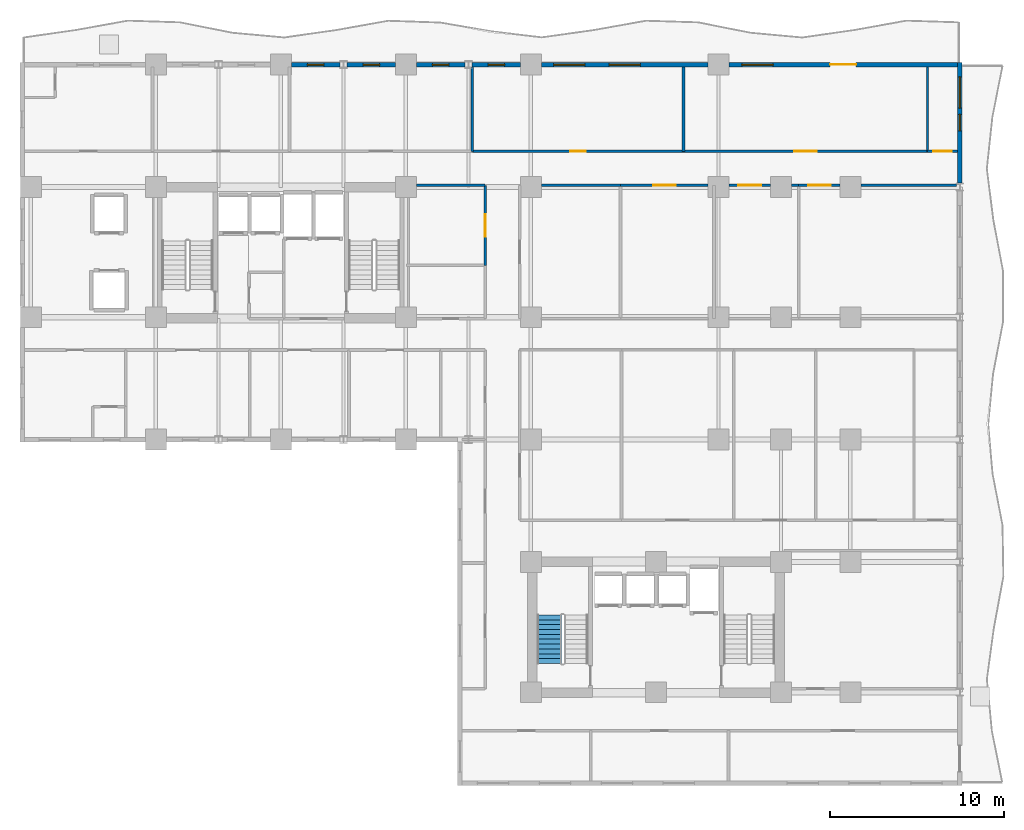
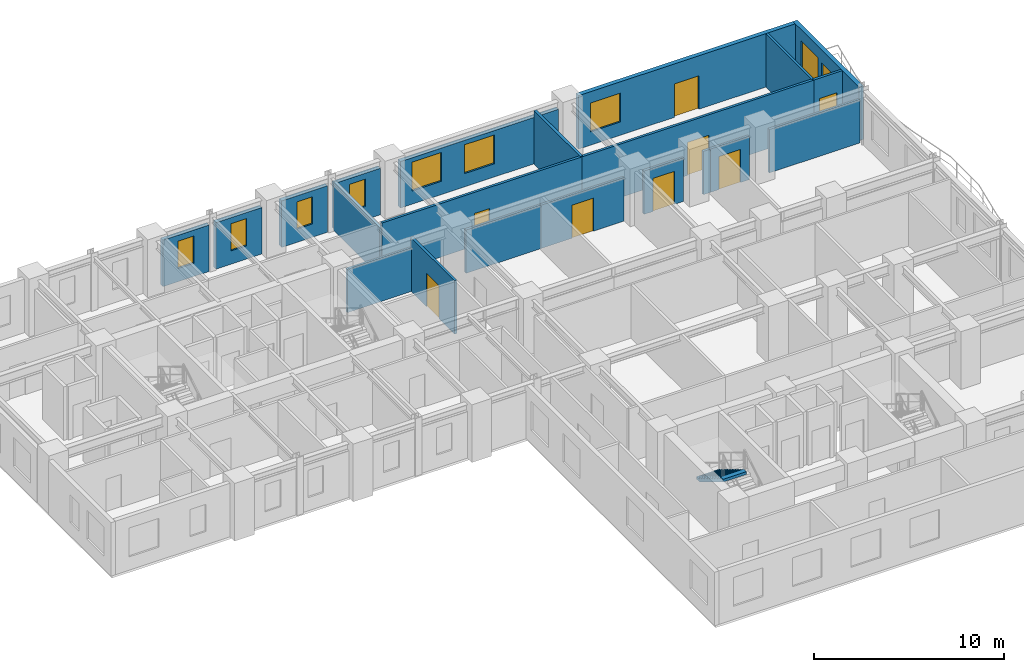
# One storey, part 7 of 11: 21 walls, 9 windows, 8 doors, 1 stair flight, 17 openings, 1 element without a shape of its own.
"""IFC4 building model written with IfcOpenShell, lengths in metres."""

from ifc_helpers import new_model, si_unit, direction, frame, frame_2d, origin, place, context, subcontext, project, spatial, polyline, rectangle, outline, extrude, material, layer, layer_set, type_object, element, fill, aggregate, save


model = new_model("IFC4")

# Units and contexts
model_context = context("Model", 3, precision=1e-05, world=origin(), true_north=direction((0.0, 1.0)))
body_context = subcontext(model_context, "Body", "Model", "MODEL_VIEW")
ifc_project = project(units=[si_unit("LENGTHUNIT", "METRE"), si_unit("AREAUNIT", "SQUARE_METRE"), si_unit("VOLUMEUNIT", "CUBIC_METRE"), si_unit("PLANEANGLEUNIT", "RADIAN"), si_unit("MASSUNIT", "GRAM", prefix="KILO")], contexts=[model_context])

# Site, building, storey
site_placement = place(None, origin())
site = spatial("IfcSite", under=ifc_project, at=site_placement, CompositionType="ELEMENT")
building_placement = place(site_placement, origin())
building = spatial("IfcBuilding", under=site, at=building_placement, Name="Kaliganga Portal Commons", CompositionType="ELEMENT")
storey_placement = place(building_placement, frame((0.0, 0.0, 100.800048828125)))
storey = spatial("IfcBuildingStorey", under=building, at=storey_placement, Name="L25", CompositionType="ELEMENT", Elevation=100.800048828125)

# Wall, openings, windows
ifc_material_1 = material(Name="Insulated Aluminium-Clad Spandrel Assembly", Category="aluminium")
ifc_layer_1 = layer(ifc_material_1, 0.260009765625)
ifc_layer_set_1 = layer_set([ifc_layer_1], Name="Insulated Aluminium-Clad Spandrel Assembly")
wall_type_1 = type_object("IfcWallType", Name="WL-EXT-SPAND-260", PredefinedType="STANDARD", material=ifc_layer_set_1)
wall_1_placement = place(storey_placement, frame((60.699951171875, 43.330078125, 0.0), z_axis=(0.0, 0.0, 1.0), x_axis=(0.0, -1.0, 0.0)))
wall_1 = element("IfcWall", 1, at=wall_1_placement, inside=storey, type_object=wall_type_1, Name="Exterior Envelope Wall L25 P1-E01-S6", PredefinedType="STANDARD", context=body_context, shape_type="SweptSolid", body=[
    extrude(rectangle(XDim=6.964111328125, YDim=0.260009765625, at=frame_2d((3.48193359375, 0.0))), origin(), (0.0, 0.0, 1.0), 3.429931640625),
])
opening_1_placement = place(wall_1_placement, frame((0.841064453125, 0.0, 0.85009765625)))
opening_1 = element("IfcOpeningElement", 2, at=opening_1_placement, cuts=wall_1, Name="Opening W-01", PredefinedType="OPENING", context=body_context, shape_type="SweptSolid", body=[
    extrude(rectangle(XDim=1.800048828125, YDim=1.85009765625, at=frame_2d((0.89990234375, 0.925048828125))), frame((0.0, 0.14013671875, 0.0), z_axis=(0.0, -1.0, 0.0), x_axis=(1.0, 0.0, 0.0)), (0.0, 0.0, 1.0), 0.280029296875),
])
opening_2_placement = place(wall_1_placement, frame((3.007080078125, 0.0, 0.85009765625)))
opening_2 = element("IfcOpeningElement", 3, at=opening_2_placement, cuts=wall_1, Name="Opening W-04", PredefinedType="OPENING", context=body_context, shape_type="SweptSolid", body=[
    extrude(rectangle(XDim=0.949951171875, YDim=1.75, at=frame_2d((0.47509765625, 0.875))), frame((0.0, 0.14013671875, 0.0), z_axis=(0.0, -1.0, 0.0), x_axis=(1.0, 0.0, 0.0)), (0.0, 0.0, 1.0), 0.280029296875),
])
ifc_material_2 = material(Name="Thermally Broken Aluminium and Low-E Double Glazing", Category="aluminium")
window_type_1 = type_object("IfcWindowType", Name="WIN-NARROW-950", PartitioningType="SINGLE_PANEL", PredefinedType="WINDOW", material=ifc_material_2)
window_1_placement = place(opening_2_placement, origin())
window_1 = element("IfcWindow", 4, at=window_1_placement, inside=storey, type_object=window_type_1, Name="Facade Window L25-P1E01S6-N0", OverallHeight=1.75, OverallWidth=0.949951171875, PartitioningType="SINGLE_PANEL", PredefinedType="WINDOW", context=body_context, shape_type="SweptSolid", body=[
    extrude(rectangle(XDim=0.949951171875, YDim=1.75, at=frame_2d((0.47509765625, 0.875))), frame((0.0, 0.030029296875, 0.0), z_axis=(0.0, -1.0, 0.0), x_axis=(1.0, 0.0, 0.0)), (0.0, 0.0, 1.0), 0.06005859375),
])
fill(opening_2, window_1)
window_type_2 = type_object("IfcWindowType", Name="WIN-STD-1800", PartitioningType="DOUBLE_PANEL_VERTICAL", PredefinedType="WINDOW", material=ifc_material_2)
window_2_placement = place(opening_1_placement, origin())
window_2 = element("IfcWindow", 5, at=window_2_placement, inside=storey, type_object=window_type_2, Name="Facade Window L25-P1E01S6-00", OverallHeight=1.85009765625, OverallWidth=1.800048828125, PartitioningType="SINGLE_PANEL", PredefinedType="WINDOW", context=body_context, shape_type="SweptSolid", body=[
    extrude(rectangle(XDim=1.800048828125, YDim=1.85009765625, at=frame_2d((0.89990234375, 0.925048828125))), frame((0.0, 0.030029296875, 0.0), z_axis=(0.0, -1.0, 0.0), x_axis=(1.0, 0.0, 0.0)), (0.0, 0.0, 1.0), 0.06005859375),
])
fill(opening_1, window_2)

# Wall, openings, door, window
wall_2_placement = place(storey_placement, frame((47.40087890625, 43.199951171875, 0.0), z_axis=(0.0, 0.0, 1.0), x_axis=(1.0, 0.0, 0.0)))
wall_2 = element("IfcWall", 6, at=wall_2_placement, inside=storey, type_object=wall_type_1, Name="Exterior Envelope Wall L25 P1-E02-S1", PredefinedType="STANDARD", context=body_context, shape_type="SweptSolid", body=[
    extrude(rectangle(XDim=13.1640625, YDim=0.260009765625, at=frame_2d((6.58203125, 0.0))), origin(), (0.0, 0.0, 1.0), 3.429931640625),
])
opening_3_placement = place(wall_2_placement, frame((5.83203125, 0.0, 0.0)))
opening_3 = element("IfcOpeningElement", 7, at=opening_3_placement, cuts=wall_2, Name="Opening BD-01", PredefinedType="OPENING", context=body_context, shape_type="SweptSolid", body=[
    extrude(rectangle(XDim=1.5, YDim=2.14990234375, at=frame_2d((0.75, 1.074951171875))), frame((0.0, 0.14013671875, 0.0), z_axis=(0.0, -1.0, 0.0), x_axis=(1.0, 0.0, 0.0)), (0.0, 0.0, 1.0), 0.280029296875),
])
opening_4_placement = place(wall_2_placement, frame((0.74560546875, 0.0, 0.85009765625)))
opening_4 = element("IfcOpeningElement", 8, at=opening_4_placement, cuts=wall_2, Name="Opening W-01", PredefinedType="OPENING", context=body_context, shape_type="SweptSolid", body=[
    extrude(rectangle(XDim=1.800048828125, YDim=1.85009765625, at=frame_2d((0.89990234375, 0.925048828125))), frame((0.0, 0.14013671875, 0.0), z_axis=(0.0, -1.0, 0.0), x_axis=(1.0, 0.0, 0.0)), (0.0, 0.0, 1.0), 0.280029296875),
])
ifc_material_3 = material(Name="Anodized Aluminium and Laminated Safety Glass", Category="aluminium")
door_type_1 = type_object("IfcDoorType", Name="DR-BALC-1500", OperationType="SLIDING_TO_LEFT", PredefinedType="DOOR", material=ifc_material_3)
door_1_placement = place(opening_3_placement, origin())
door_1 = element("IfcDoor", 9, at=door_1_placement, inside=storey, type_object=door_type_1, Name="Balcony Sliding Door L25 balc_north", OperationType="SLIDING_TO_LEFT", OverallHeight=2.14990234375, OverallWidth=1.5, PredefinedType="DOOR", context=body_context, shape_type="SweptSolid", body=[
    extrude(rectangle(XDim=1.5, YDim=2.14990234375, at=frame_2d((0.75, 1.074951171875))), frame((0.0, 0.02490234375, 0.0), z_axis=(0.0, -1.0, 0.0), x_axis=(1.0, 0.0, 0.0)), (0.0, 0.0, 1.0), 0.050048828125),
])
fill(opening_3, door_1)
window_3_placement = place(opening_4_placement, origin())
window_3 = element("IfcWindow", 10, at=window_3_placement, inside=storey, type_object=window_type_2, Name="Facade Window L25-P1E02S1-00", OverallHeight=1.85009765625, OverallWidth=1.800048828125, PartitioningType="SINGLE_PANEL", PredefinedType="WINDOW", context=body_context, shape_type="SweptSolid", body=[
    extrude(rectangle(XDim=1.800048828125, YDim=1.85009765625, at=frame_2d((0.89990234375, 0.925048828125))), frame((0.0, 0.030029296875, 0.0), z_axis=(0.0, -1.0, 0.0), x_axis=(1.0, 0.0, 0.0)), (0.0, 0.0, 1.0), 0.06005859375),
])
fill(opening_4, window_3)

# Wall, openings, windows
wall_3_placement = place(storey_placement, frame((36.60107421875, 43.199951171875, 0.0), z_axis=(0.0, 0.0, 1.0), x_axis=(1.0, 0.0, 0.0)))
wall_3 = element("IfcWall", 11, at=wall_3_placement, inside=storey, type_object=wall_type_1, Name="Exterior Envelope Wall L25 P1-E02-S2", PredefinedType="STANDARD", context=body_context, shape_type="SweptSolid", body=[
    extrude(rectangle(XDim=9.597900390625, YDim=0.260009765625, at=frame_2d((4.798828125, 0.0))), origin(), (0.0, 0.0, 1.0), 2.97998046875),
])
opening_5_placement = place(wall_3_placement, frame((0.69970703125, 0.0, 0.85009765625)))
opening_5 = element("IfcOpeningElement", 12, at=opening_5_placement, cuts=wall_3, Name="Opening W-01", PredefinedType="OPENING", context=body_context, shape_type="SweptSolid", body=[
    extrude(rectangle(XDim=1.800048828125, YDim=1.85009765625, at=frame_2d((0.89990234375, 0.925048828125))), frame((0.0, 0.14013671875, 0.0), z_axis=(0.0, -1.0, 0.0), x_axis=(1.0, 0.0, 0.0)), (0.0, 0.0, 1.0), 0.280029296875),
])
opening_6_placement = place(wall_3_placement, frame((3.89892578125, 0.0, 0.85009765625)))
opening_6 = element("IfcOpeningElement", 13, at=opening_6_placement, cuts=wall_3, Name="Opening W-01", PredefinedType="OPENING", context=body_context, shape_type="SweptSolid", body=[
    extrude(rectangle(XDim=1.800048828125, YDim=1.85009765625, at=frame_2d((0.89990234375, 0.925048828125))), frame((0.0, 0.14013671875, 0.0), z_axis=(0.0, -1.0, 0.0), x_axis=(1.0, 0.0, 0.0)), (0.0, 0.0, 1.0), 0.280029296875),
])
window_4_placement = place(opening_5_placement, origin())
window_4 = element("IfcWindow", 14, at=window_4_placement, inside=storey, type_object=window_type_2, Name="Facade Window L25-P1E02S2-00", OverallHeight=1.85009765625, OverallWidth=1.800048828125, PartitioningType="SINGLE_PANEL", PredefinedType="WINDOW", context=body_context, shape_type="SweptSolid", body=[
    extrude(rectangle(XDim=1.800048828125, YDim=1.85009765625, at=frame_2d((0.89990234375, 0.925048828125))), frame((0.0, 0.030029296875, 0.0), z_axis=(0.0, -1.0, 0.0), x_axis=(1.0, 0.0, 0.0)), (0.0, 0.0, 1.0), 0.06005859375),
])
fill(opening_5, window_4)
window_5_placement = place(opening_6_placement, origin())
window_5 = element("IfcWindow", 15, at=window_5_placement, inside=storey, type_object=window_type_2, Name="Facade Window L25-P1E02S2-01", OverallHeight=1.85009765625, OverallWidth=1.800048828125, PartitioningType="SINGLE_PANEL", PredefinedType="WINDOW", context=body_context, shape_type="SweptSolid", body=[
    extrude(rectangle(XDim=1.800048828125, YDim=1.85009765625, at=frame_2d((0.89990234375, 0.925048828125))), frame((0.0, 0.030029296875, 0.0), z_axis=(0.0, -1.0, 0.0), x_axis=(1.0, 0.0, 0.0)), (0.0, 0.0, 1.0), 0.06005859375),
])
fill(opening_6, window_5)

# Wall, opening, window
wall_4_placement = place(storey_placement, frame((32.60546875, 43.199951171875, 0.0), z_axis=(0.0, 0.0, 1.0), x_axis=(1.0, 0.0, 0.0)))
wall_4 = element("IfcWall", 16, at=wall_4_placement, inside=storey, type_object=wall_type_1, Name="Exterior Envelope Wall L25 P1-E02-S3", PredefinedType="STANDARD", context=body_context, shape_type="SweptSolid", body=[
    extrude(rectangle(XDim=2.79345703125, YDim=0.260009765625, at=frame_2d((1.396728515625, 0.0))), origin(), (0.0, 0.0, 1.0), 2.97998046875),
])
opening_7_placement = place(wall_4_placement, frame((0.921875, 0.0, 0.85009765625)))
opening_7 = element("IfcOpeningElement", 17, at=opening_7_placement, cuts=wall_4, Name="Opening W-04", PredefinedType="OPENING", context=body_context, shape_type="SweptSolid", body=[
    extrude(rectangle(XDim=0.949951171875, YDim=1.75, at=frame_2d((0.47509765625, 0.875))), frame((0.0, 0.14013671875, 0.0), z_axis=(0.0, -1.0, 0.0), x_axis=(1.0, 0.0, 0.0)), (0.0, 0.0, 1.0), 0.280029296875),
])
window_6_placement = place(opening_7_placement, origin())
window_6 = element("IfcWindow", 18, at=window_6_placement, inside=storey, type_object=window_type_1, Name="Facade Window L25-P1E02S3-00", OverallHeight=1.75, OverallWidth=0.949951171875, PartitioningType="SINGLE_PANEL", PredefinedType="WINDOW", context=body_context, shape_type="SweptSolid", body=[
    extrude(rectangle(XDim=0.949951171875, YDim=1.75, at=frame_2d((0.47509765625, 0.875))), frame((0.0, 0.030029296875, 0.0), z_axis=(0.0, -1.0, 0.0), x_axis=(1.0, 0.0, 0.0)), (0.0, 0.0, 1.0), 0.06005859375),
])
fill(opening_7, window_6)

wall_5_placement = place(storey_placement, frame((29.40087890625, 43.199951171875, 0.0), z_axis=(0.0, 0.0, 1.0), x_axis=(1.0, 0.0, 0.0)))
wall_5 = element("IfcWall", 19, at=wall_5_placement, inside=storey, type_object=wall_type_1, Name="Exterior Envelope Wall L25 P1-E02-S4", PredefinedType="STANDARD", context=body_context, shape_type="SweptSolid", body=[
    extrude(rectangle(XDim=2.793701171875, YDim=0.260009765625, at=frame_2d((1.39697265625, 0.0))), origin(), (0.0, 0.0, 1.0), 2.97998046875),
])
opening_8_placement = place(wall_5_placement, frame((0.921630859375, 0.0, 0.85009765625)))
opening_8 = element("IfcOpeningElement", 20, at=opening_8_placement, cuts=wall_5, Name="Opening W-04", PredefinedType="OPENING", context=body_context, shape_type="SweptSolid", body=[
    extrude(rectangle(XDim=0.949951171875, YDim=1.75, at=frame_2d((0.47509765625, 0.875))), frame((0.0, 0.14013671875, 0.0), z_axis=(0.0, -1.0, 0.0), x_axis=(1.0, 0.0, 0.0)), (0.0, 0.0, 1.0), 0.280029296875),
])
window_7_placement = place(opening_8_placement, origin())
window_7 = element("IfcWindow", 21, at=window_7_placement, inside=storey, type_object=window_type_1, Name="Facade Window L25-P1E02S4-00", OverallHeight=1.75, OverallWidth=0.949951171875, PartitioningType="SINGLE_PANEL", PredefinedType="WINDOW", context=body_context, shape_type="SweptSolid", body=[
    extrude(rectangle(XDim=0.949951171875, YDim=1.75, at=frame_2d((0.47509765625, 0.875))), frame((0.0, 0.030029296875, 0.0), z_axis=(0.0, -1.0, 0.0), x_axis=(1.0, 0.0, 0.0)), (0.0, 0.0, 1.0), 0.06005859375),
])
fill(opening_8, window_7)

wall_6_placement = place(storey_placement, frame((25.405517578125, 43.199951171875, 0.0), z_axis=(0.0, 0.0, 1.0), x_axis=(1.0, 0.0, 0.0)))
wall_6 = element("IfcWall", 22, at=wall_6_placement, inside=storey, type_object=wall_type_1, Name="Exterior Envelope Wall L25 P1-E02-S5", PredefinedType="STANDARD", context=body_context, shape_type="SweptSolid", body=[
    extrude(rectangle(XDim=2.79345703125, YDim=0.260009765625, at=frame_2d((1.396728515625, 0.0))), origin(), (0.0, 0.0, 1.0), 2.97998046875),
])
opening_9_placement = place(wall_6_placement, frame((0.921875, 0.0, 0.85009765625)))
opening_9 = element("IfcOpeningElement", 23, at=opening_9_placement, cuts=wall_6, Name="Opening W-04", PredefinedType="OPENING", context=body_context, shape_type="SweptSolid", body=[
    extrude(rectangle(XDim=0.949951171875, YDim=1.75, at=frame_2d((0.47509765625, 0.875))), frame((0.0, 0.14013671875, 0.0), z_axis=(0.0, -1.0, 0.0), x_axis=(1.0, 0.0, 0.0)), (0.0, 0.0, 1.0), 0.280029296875),
])
window_8_placement = place(opening_9_placement, origin())
window_8 = element("IfcWindow", 24, at=window_8_placement, inside=storey, type_object=window_type_1, Name="Facade Window L25-P1E02S5-00", OverallHeight=1.75, OverallWidth=0.949951171875, PartitioningType="SINGLE_PANEL", PredefinedType="WINDOW", context=body_context, shape_type="SweptSolid", body=[
    extrude(rectangle(XDim=0.949951171875, YDim=1.75, at=frame_2d((0.47509765625, 0.875))), frame((0.0, 0.030029296875, 0.0), z_axis=(0.0, -1.0, 0.0), x_axis=(1.0, 0.0, 0.0)), (0.0, 0.0, 1.0), 0.06005859375),
])
fill(opening_9, window_8)

wall_7_placement = place(storey_placement, frame((22.200927734375, 43.199951171875, 0.0), z_axis=(0.0, 0.0, 1.0), x_axis=(1.0, 0.0, 0.0)))
wall_7 = element("IfcWall", 25, at=wall_7_placement, inside=storey, type_object=wall_type_1, Name="Exterior Envelope Wall L25 P1-E02-S6", PredefinedType="STANDARD", context=body_context, shape_type="SweptSolid", body=[
    extrude(rectangle(XDim=2.79345703125, YDim=0.260009765625, at=frame_2d((1.396728515625, 0.0))), origin(), (0.0, 0.0, 1.0), 2.97998046875),
])
opening_10_placement = place(wall_7_placement, frame((0.921630859375, 0.0, 0.85009765625)))
opening_10 = element("IfcOpeningElement", 26, at=opening_10_placement, cuts=wall_7, Name="Opening W-04", PredefinedType="OPENING", context=body_context, shape_type="SweptSolid", body=[
    extrude(rectangle(XDim=0.949951171875, YDim=1.75, at=frame_2d((0.47509765625, 0.875))), frame((0.0, 0.14013671875, 0.0), z_axis=(0.0, -1.0, 0.0), x_axis=(1.0, 0.0, 0.0)), (0.0, 0.0, 1.0), 0.280029296875),
])
window_9_placement = place(opening_10_placement, origin())
window_9 = element("IfcWindow", 27, at=window_9_placement, inside=storey, type_object=window_type_1, Name="Facade Window L25-P1E02S6-00", OverallHeight=1.75, OverallWidth=0.949951171875, PartitioningType="SINGLE_PANEL", PredefinedType="WINDOW", context=body_context, shape_type="SweptSolid", body=[
    extrude(rectangle(XDim=0.949951171875, YDim=1.75, at=frame_2d((0.47509765625, 0.875))), frame((0.0, 0.030029296875, 0.0), z_axis=(0.0, -1.0, 0.0), x_axis=(1.0, 0.0, 0.0)), (0.0, 0.0, 1.0), 0.06005859375),
])
fill(opening_10, window_9)

# Wall, opening, door
ifc_material_4 = material(Name="Fire-Rated Gypsum Board on Steel Stud", Category="steel")
ifc_layer_2 = layer(ifc_material_4, 0.14990234375)
ifc_layer_set_2 = layer_set([ifc_layer_2], Name="Fire-Rated Gypsum Board on Steel Stud")
wall_type_2 = type_object("IfcWallType", Name="WL-PART-CORR-150", PredefinedType="PARTITIONING", material=ifc_layer_set_2)
wall_8_placement = place(storey_placement, frame((44.780029296875, 38.199951171875, 0.0), z_axis=(0.0, 0.0, 1.0), x_axis=(1.0, 0.0, 0.0)))
wall_8 = element("IfcWall", 28, at=wall_8_placement, inside=storey, type_object=wall_type_2, Name="Interior Partition L25-006", PredefinedType="PARTITIONING", context=body_context, shape_type="SweptSolid", body=[
    extrude(rectangle(XDim=14.06005859375, YDim=0.14990234375, at=frame_2d((7.030029296875, 0.0))), origin(), (0.0, 0.0, 1.0), 3.429931640625),
])
opening_11_placement = place(wall_8_placement, frame((6.3798828125, 0.0, 0.0)))
opening_11 = element("IfcOpeningElement", 29, at=opening_11_placement, cuts=wall_8, Name="Opening RD-03", PredefinedType="OPENING", context=body_context, shape_type="SweptSolid", body=[
    extrude(rectangle(XDim=1.300048828125, YDim=2.1201171875, at=frame_2d((0.64990234375, 1.06005859375))), frame((0.0, 0.0849609375, 0.0), z_axis=(0.0, -1.0, 0.0), x_axis=(1.0, 0.0, 0.0)), (0.0, 0.0, 1.0), 0.169921875),
])
ifc_material_5 = material(Name="Glazed Timber Seminar Vision Door", Category="wood")
door_type_2 = type_object("IfcDoorType", Name="DR-STUDY-1300", OperationType="DOUBLE_DOOR_SINGLE_SWING", PredefinedType="DOOR", material=ifc_material_5)
door_2_placement = place(opening_11_placement, origin())
door_2 = element("IfcDoor", 30, at=door_2_placement, inside=storey, type_object=door_type_2, Name="Interior Door L25-AN05", OperationType="DOUBLE_DOOR_SINGLE_SWING", OverallHeight=2.1201171875, OverallWidth=1.300048828125, PredefinedType="DOOR", context=body_context, shape_type="SweptSolid", body=[
    extrude(rectangle(XDim=1.300048828125, YDim=2.1201171875, at=frame_2d((0.64990234375, 1.06005859375))), frame((0.0, 0.02490234375, 0.0), z_axis=(0.0, -1.0, 0.0), x_axis=(1.0, 0.0, 0.0)), (0.0, 0.0, 1.0), 0.050048828125),
])
fill(opening_11, door_2)

wall_9_placement = place(storey_placement, frame((32.6201171875, 38.199951171875, 0.0), z_axis=(0.0, 0.0, 1.0), x_axis=(1.0, 0.0, 0.0)))
wall_9 = element("IfcWall", 31, at=wall_9_placement, inside=storey, type_object=wall_type_2, Name="Interior Partition L25-008", PredefinedType="PARTITIONING", context=body_context, shape_type="SweptSolid", body=[
    extrude(rectangle(XDim=12.159912109375, YDim=0.14990234375, at=frame_2d((6.080078125, 0.0))), origin(), (0.0, 0.0, 1.0), 3.429931640625),
])
opening_12_placement = place(wall_9_placement, frame((5.6298828125, 0.0, 0.0)))
opening_12 = element("IfcOpeningElement", 32, at=opening_12_placement, cuts=wall_9, Name="Opening RD-01", PredefinedType="OPENING", context=body_context, shape_type="SweptSolid", body=[
    extrude(rectangle(XDim=0.89990234375, YDim=2.080078125, at=frame_2d((0.449951171875, 1.0400390625))), frame((0.0, 0.0849609375, 0.0), z_axis=(0.0, -1.0, 0.0), x_axis=(1.0, 0.0, 0.0)), (0.0, 0.0, 1.0), 0.169921875),
])
ifc_material_6 = material(Name="Engineered Timber Flush Door", Category="wood")
door_type_3 = type_object("IfcDoorType", Name="DR-ROOM-900", OperationType="NOTDEFINED", PredefinedType="DOOR", material=ifc_material_6)
door_3_placement = place(opening_12_placement, origin())
door_3 = element("IfcDoor", 33, at=door_3_placement, inside=storey, type_object=door_type_3, Name="Interior Door L25-AN04", OperationType="SINGLE_SWING_LEFT", OverallHeight=2.080078125, OverallWidth=0.89990234375, PredefinedType="DOOR", context=body_context, shape_type="SweptSolid", body=[
    extrude(rectangle(XDim=0.89990234375, YDim=2.080078125, at=frame_2d((0.449951171875, 1.0400390625))), frame((0.0, 0.02490234375, 0.0), z_axis=(0.0, -1.0, 0.0), x_axis=(1.0, 0.0, 0.0)), (0.0, 0.0, 1.0), 0.050048828125),
])
fill(opening_12, door_3)

wall_10_placement = place(storey_placement, frame((51.419921875, 36.239990234375, 0.0), z_axis=(0.0, 0.0, 1.0), x_axis=(1.0, 0.0, 0.0)))
wall_10 = element("IfcWall", 34, at=wall_10_placement, inside=storey, type_object=wall_type_2, Name="Interior Partition L25-014", PredefinedType="PARTITIONING", context=body_context, shape_type="SweptSolid", body=[
    extrude(rectangle(XDim=2.380126953125, YDim=0.14990234375, at=frame_2d((1.18994140625, 0.0))), origin(), (0.0, 0.0, 1.0), 2.780029296875),
])
opening_13_placement = place(wall_10_placement, frame((0.5400390625, 0.0, 0.0)))
opening_13 = element("IfcOpeningElement", 35, at=opening_13_placement, cuts=wall_10, Name="Opening RD-03", PredefinedType="OPENING", context=body_context, shape_type="SweptSolid", body=[
    extrude(rectangle(XDim=1.300048828125, YDim=2.1201171875, at=frame_2d((0.64990234375, 1.06005859375))), frame((0.0, 0.0849609375, 0.0), z_axis=(0.0, -1.0, 0.0), x_axis=(1.0, 0.0, 0.0)), (0.0, 0.0, 1.0), 0.169921875),
])
door_4_placement = place(opening_13_placement, origin())
door_4 = element("IfcDoor", 36, at=door_4_placement, inside=storey, type_object=door_type_2, Name="Interior Door L25-BK04", OperationType="DOUBLE_DOOR_SINGLE_SWING", OverallHeight=2.1201171875, OverallWidth=1.300048828125, PredefinedType="DOOR", context=body_context, shape_type="SweptSolid", body=[
    extrude(rectangle(XDim=1.300048828125, YDim=2.1201171875, at=frame_2d((0.64990234375, 1.06005859375))), frame((0.0, 0.02490234375, 0.0), z_axis=(0.0, -1.0, 0.0), x_axis=(1.0, 0.0, 0.0)), (0.0, 0.0, 1.0), 0.050048828125),
])
fill(opening_13, door_4)

# Walls
wall_11_placement = place(storey_placement, frame((55.0, 36.239990234375, 0.0), z_axis=(0.0, 0.0, 1.0), x_axis=(1.0, 0.0, 0.0)))
element("IfcWall", 37, at=wall_11_placement, inside=storey, type_object=wall_type_2, Name="Interior Partition L25-015", PredefinedType="PARTITIONING", context=body_context, shape_type="SweptSolid", body=[
    extrude(rectangle(XDim=5.49560546875, YDim=0.14990234375, at=frame_2d((2.747802734375, 0.0))), origin(), (0.0, 0.0, 1.0), 2.780029296875),
])
wall_12_placement = place(storey_placement, frame((36.60009765625, 36.239990234375, 0.0), z_axis=(0.0, 0.0, 1.0), x_axis=(1.0, 0.0, 0.0)))
element("IfcWall", 38, at=wall_12_placement, inside=storey, type_object=wall_type_2, Name="Interior Partition L25-027", PredefinedType="PARTITIONING", context=body_context, shape_type="SweptSolid", body=[
    extrude(rectangle(XDim=4.559814453125, YDim=0.14990234375, at=frame_2d((2.27978515625, 0.0))), origin(), (0.0, 0.0, 1.0), 2.780029296875),
])

# Wall, opening, door
wall_13_placement = place(storey_placement, frame((41.159912109375, 36.239990234375, 0.0), z_axis=(0.0, 0.0, 1.0), x_axis=(1.0, 0.0, 0.0)))
wall_13 = element("IfcWall", 39, at=wall_13_placement, inside=storey, type_object=wall_type_2, Name="Interior Partition L25-030", PredefinedType="PARTITIONING", context=body_context, shape_type="SweptSolid", body=[
    extrude(rectangle(XDim=5.0400390625, YDim=0.14990234375, at=frame_2d((2.52001953125, 0.0))), origin(), (0.0, 0.0, 1.0), 2.780029296875),
])
opening_14_placement = place(wall_13_placement, frame((1.8701171875, 0.0, 0.0)))
opening_14 = element("IfcOpeningElement", 40, at=opening_14_placement, cuts=wall_13, Name="Opening RD-03", PredefinedType="OPENING", context=body_context, shape_type="SweptSolid", body=[
    extrude(rectangle(XDim=1.300048828125, YDim=2.1201171875, at=frame_2d((0.64990234375, 1.06005859375))), frame((0.0, 0.0849609375, 0.0), z_axis=(0.0, -1.0, 0.0), x_axis=(1.0, 0.0, 0.0)), (0.0, 0.0, 1.0), 0.169921875),
])
door_5_placement = place(opening_14_placement, origin())
door_5 = element("IfcDoor", 41, at=door_5_placement, inside=storey, type_object=door_type_2, Name="Interior Door L25-BK02", OperationType="DOUBLE_DOOR_SINGLE_SWING", OverallHeight=2.1201171875, OverallWidth=1.300048828125, PredefinedType="DOOR", context=body_context, shape_type="SweptSolid", body=[
    extrude(rectangle(XDim=1.300048828125, YDim=2.1201171875, at=frame_2d((0.64990234375, 1.06005859375))), frame((0.0, 0.02490234375, 0.0), z_axis=(0.0, -1.0, 0.0), x_axis=(1.0, 0.0, 0.0)), (0.0, 0.0, 1.0), 0.050048828125),
])
fill(opening_14, door_5)

wall_14_placement = place(storey_placement, frame((47.39990234375, 36.239990234375, 0.0), z_axis=(0.0, 0.0, 1.0), x_axis=(1.0, 0.0, 0.0)))
wall_14 = element("IfcWall", 42, at=wall_14_placement, inside=storey, type_object=wall_type_2, Name="Interior Partition L25-033", PredefinedType="PARTITIONING", context=body_context, shape_type="SweptSolid", body=[
    extrude(rectangle(XDim=2.400146484375, YDim=0.14990234375, at=frame_2d((1.2001953125, 0.0))), origin(), (0.0, 0.0, 1.0), 2.780029296875),
])
opening_15_placement = place(wall_14_placement, frame((0.550048828125, 0.0, 0.0)))
opening_15 = element("IfcOpeningElement", 43, at=opening_15_placement, cuts=wall_14, Name="Opening RD-03", PredefinedType="OPENING", context=body_context, shape_type="SweptSolid", body=[
    extrude(rectangle(XDim=1.300048828125, YDim=2.1201171875, at=frame_2d((0.64990234375, 1.06005859375))), frame((0.0, 0.0849609375, 0.0), z_axis=(0.0, -1.0, 0.0), x_axis=(1.0, 0.0, 0.0)), (0.0, 0.0, 1.0), 0.169921875),
])
door_6_placement = place(opening_15_placement, origin())
door_6 = element("IfcDoor", 44, at=door_6_placement, inside=storey, type_object=door_type_2, Name="Interior Door L25-BK03", OperationType="DOUBLE_DOOR_SINGLE_SWING", OverallHeight=2.1201171875, OverallWidth=1.300048828125, PredefinedType="DOOR", context=body_context, shape_type="SweptSolid", body=[
    extrude(rectangle(XDim=1.300048828125, YDim=2.1201171875, at=frame_2d((0.64990234375, 1.06005859375))), frame((0.0, 0.02490234375, 0.0), z_axis=(0.0, -1.0, 0.0), x_axis=(1.0, 0.0, 0.0)), (0.0, 0.0, 1.0), 0.050048828125),
])
fill(opening_15, door_6)

# Wall
wall_15_placement = place(storey_placement, frame((51.0, 36.239990234375, 0.0), z_axis=(0.0, 0.0, 1.0), x_axis=(1.0, 0.0, 0.0)))
element("IfcWall", 45, at=wall_15_placement, inside=storey, type_object=wall_type_2, Name="Interior Partition L25-034", PredefinedType="PARTITIONING", context=body_context, shape_type="SweptSolid", body=[
    extrude(rectangle(XDim=0.419921875, YDim=0.14990234375, at=frame_2d((0.2099609375, 0.0))), origin(), (0.0, 0.0, 1.0), 2.780029296875),
])

# Wall, opening, door
wall_16_placement = place(storey_placement, frame((33.360107421875, 31.639892578125, 0.0), z_axis=(0.0, 0.0, 1.0), x_axis=(0.0, 1.0, 0.0)))
wall_16 = element("IfcWall", 46, at=wall_16_placement, inside=storey, type_object=wall_type_2, Name="Interior Partition L25-036", PredefinedType="PARTITIONING", context=body_context, shape_type="SweptSolid", body=[
    extrude(rectangle(XDim=4.60009765625, YDim=0.14990234375, at=frame_2d((2.300048828125, 0.0))), origin(), (0.0, 0.0, 1.0), 3.429931640625),
])
opening_16_placement = place(wall_16_placement, frame((1.64990234375, 0.0, 0.0)))
opening_16 = element("IfcOpeningElement", 47, at=opening_16_placement, cuts=wall_16, Name="Opening RD-03", PredefinedType="OPENING", context=body_context, shape_type="SweptSolid", body=[
    extrude(rectangle(XDim=1.300048828125, YDim=2.1201171875, at=frame_2d((0.64990234375, 1.06005859375))), frame((0.0, 0.0849609375, 0.0), z_axis=(0.0, -1.0, 0.0), x_axis=(1.0, 0.0, 0.0)), (0.0, 0.0, 1.0), 0.169921875),
])
door_7_placement = place(opening_16_placement, origin())
door_7 = element("IfcDoor", 48, at=door_7_placement, inside=storey, type_object=door_type_2, Name="Interior Door L25-CSRV_A2", OperationType="DOUBLE_DOOR_SINGLE_SWING", OverallHeight=2.1201171875, OverallWidth=1.300048828125, PredefinedType="DOOR", context=body_context, shape_type="SweptSolid", body=[
    extrude(rectangle(XDim=1.300048828125, YDim=2.1201171875, at=frame_2d((0.64990234375, 1.06005859375))), frame((0.0, 0.02490234375, 0.0), z_axis=(0.0, -1.0, 0.0), x_axis=(1.0, 0.0, 0.0)), (0.0, 0.0, 1.0), 0.050048828125),
])
fill(opening_16, door_7)

# Wall
wall_17_placement = place(storey_placement, frame((29.39990234375, 36.239990234375, 0.0), z_axis=(0.0, 0.0, 1.0), x_axis=(1.0, 0.0, 0.0)))
element("IfcWall", 49, at=wall_17_placement, inside=storey, type_object=wall_type_2, Name="Interior Partition L25-038", PredefinedType="PARTITIONING", context=body_context, shape_type="SweptSolid", body=[
    extrude(rectangle(XDim=3.960205078125, YDim=0.14990234375, at=frame_2d((1.97998046875, 0.0))), origin(), (0.0, 0.0, 1.0), 2.780029296875),
])

# Wall, opening, door
wall_18_placement = place(storey_placement, frame((58.840087890625, 38.199951171875, 0.0), z_axis=(0.0, 0.0, 1.0), x_axis=(1.0, 0.0, 0.0)))
wall_18 = element("IfcWall", 50, at=wall_18_placement, inside=storey, type_object=wall_type_2, Name="Interior Partition L25-046", PredefinedType="PARTITIONING", context=body_context, shape_type="SweptSolid", body=[
    extrude(rectangle(XDim=1.72802734375, YDim=0.14990234375, at=frame_2d((0.864013671875, 0.0))), origin(), (0.0, 0.0, 1.0), 3.429931640625),
])
opening_17_placement = place(wall_18_placement, frame((0.339111328125, 0.0, 0.0)))
opening_17 = element("IfcOpeningElement", 51, at=opening_17_placement, cuts=wall_18, Name="Opening UD-02", PredefinedType="OPENING", context=body_context, shape_type="SweptSolid", body=[
    extrude(rectangle(XDim=1.050048828125, YDim=2.1201171875, at=frame_2d((0.52490234375, 1.06005859375))), frame((0.0, 0.0849609375, 0.0), z_axis=(0.0, -1.0, 0.0), x_axis=(1.0, 0.0, 0.0)), (0.0, 0.0, 1.0), 0.169921875),
])
ifc_material_7 = material(Name="Accessible Wide-Leaf Acoustic Fire Door", Category="wood")
door_type_4 = type_object("IfcDoorType", Name="DR-ACC-1050", OperationType="NOTDEFINED", PredefinedType="DOOR", material=ifc_material_7)
door_8_placement = place(opening_17_placement, origin())
door_8 = element("IfcDoor", 52, at=door_8_placement, inside=storey, type_object=door_type_4, Name="Interior Door L25-AN06", OperationType="SINGLE_SWING_LEFT", OverallHeight=2.1201171875, OverallWidth=1.050048828125, PredefinedType="DOOR", context=body_context, shape_type="SweptSolid", body=[
    extrude(rectangle(XDim=1.050048828125, YDim=2.1201171875, at=frame_2d((0.52490234375, 1.06005859375))), frame((0.0, 0.02490234375, 0.0), z_axis=(0.0, -1.0, 0.0), x_axis=(1.0, 0.0, 0.0)), (0.0, 0.0, 1.0), 0.050048828125),
])
fill(opening_17, door_8)

# Walls
ifc_material_8 = material(Name="Twin-Stud Acoustic Gypsum Partition", Category="gypsum")
ifc_layer_3 = layer(ifc_material_8, 0.1650390625)
ifc_layer_set_3 = layer_set([ifc_layer_3], Name="Twin-Stud Acoustic Gypsum Partition")
wall_type_3 = type_object("IfcWallType", Name="WL-PART-UNIT-165", PredefinedType="PARTITIONING", material=ifc_layer_set_3)
wall_19_placement = place(storey_placement, frame((32.6201171875, 38.199951171875, 0.0), z_axis=(0.0, 0.0, 1.0), x_axis=(0.0, 1.0, 0.0)))
element("IfcWall", 53, at=wall_19_placement, inside=storey, type_object=wall_type_3, Name="Interior Partition L25-067", PredefinedType="PARTITIONING", context=body_context, shape_type="SweptSolid", body=[
    extrude(rectangle(XDim=4.8681640625, YDim=0.1650390625, at=frame_2d((2.43408203125, 0.0))), origin(), (0.0, 0.0, 1.0), 3.099853515625),
])
wall_20_placement = place(storey_placement, frame((44.780029296875, 38.199951171875, 0.0), z_axis=(0.0, 0.0, 1.0), x_axis=(0.0, 1.0, 0.0)))
element("IfcWall", 54, at=wall_20_placement, inside=storey, type_object=wall_type_3, Name="Interior Partition L25-068", PredefinedType="PARTITIONING", context=body_context, shape_type="SweptSolid", body=[
    extrude(rectangle(XDim=4.8681640625, YDim=0.1650390625, at=frame_2d((2.43408203125, 0.0))), origin(), (0.0, 0.0, 1.0), 3.429931640625),
])
ifc_material_9 = material(Name="Cement-Board Wet-Room Partition", Category="gypsum")
ifc_layer_4 = layer(ifc_material_9, 0.135009765625)
ifc_layer_set_4 = layer_set([ifc_layer_4], Name="Cement-Board Wet-Room Partition")
wall_type_4 = type_object("IfcWallType", Name="WL-PART-WET-135", PredefinedType="PARTITIONING", material=ifc_layer_set_4)
wall_21_placement = place(storey_placement, frame((58.840087890625, 38.199951171875, 0.0), z_axis=(0.0, 0.0, 1.0), x_axis=(0.0, 1.0, 0.0)))
element("IfcWall", 55, at=wall_21_placement, inside=storey, type_object=wall_type_4, Name="Interior Partition L25-069", PredefinedType="PARTITIONING", context=body_context, shape_type="SweptSolid", body=[
    extrude(rectangle(XDim=4.8681640625, YDim=0.135009765625, at=frame_2d((2.43408203125, 0.0))), origin(), (0.0, 0.0, 1.0), 3.429931640625),
])

# Stair, stair flight
ifc_material_10 = material(Name="Concrete C40/50", Category="concrete")
stair_type = type_object("IfcStairType", Name="ST-CORE-DOGLEG", PredefinedType="HALF_TURN_STAIR", material=ifc_material_10)
stair_placement = place(storey_placement, origin())
stair = element("IfcStair", 56, at=stair_placement, inside=storey, type_object=stair_type, Name="L25 Protected Exit Stair ST-B1", PredefinedType="HALF_TURN_STAIR")
stair_flight_type = type_object("IfcStairFlightType", Name="STF-RC-1400", PredefinedType="STRAIGHT", material=ifc_material_10)
stair_flight_placement = place(storey_placement, frame((37.050048828125, 11.5, 1.849853515625), z_axis=(0.0, 0.0, 1.0), x_axis=(0.0, -1.0, 0.0)))
stair_flight = element("IfcStairFlight", 57, at=stair_flight_placement, type_object=stair_flight_type, Name="ST-B1 flight 2", NumberOfRisers=11, NumberOfTreads=10, PredefinedType="STRAIGHT", RiserHeight=0.168181818, TreadLength=0.28, context=body_context, shape_type="SweptSolid", body=[
    extrude(outline(polyline([(0.0, 0.0), (0.0, 0.168212890625), (0.280029296875, 0.168212890625), (0.280029296875, 0.33642578125), (0.56005859375, 0.33642578125), (0.56005859375, 0.504638671875), (0.840087890625, 0.504638671875), (0.840087890625, 0.672607421875), (1.1201171875, 0.672607421875), (1.1201171875, 0.8408203125), (1.39990234375, 0.8408203125), (1.39990234375, 1.009033203125), (1.679931640625, 1.009033203125), (1.679931640625, 1.17724609375), (1.9599609375, 1.17724609375), (1.9599609375, 1.345458984375), (2.239990234375, 1.345458984375), (2.239990234375, 1.513671875), (2.52001953125, 1.513671875), (2.52001953125, 1.681884765625), (2.800048828125, 1.681884765625), (2.800048828125, 1.85009765625), (2.800048828125, 1.5068359375), (0.291015625, 0.0), (0.0, 0.0)])), frame((0.0, 0.699951171875, 0.0), z_axis=(0.0, -1.0, 0.0), x_axis=(1.0, 0.0, 0.0)), (0.0, 0.0, 1.0), 1.39990234375),
])
aggregate(stair, [stair_flight])

save(model, "model.ifc")
